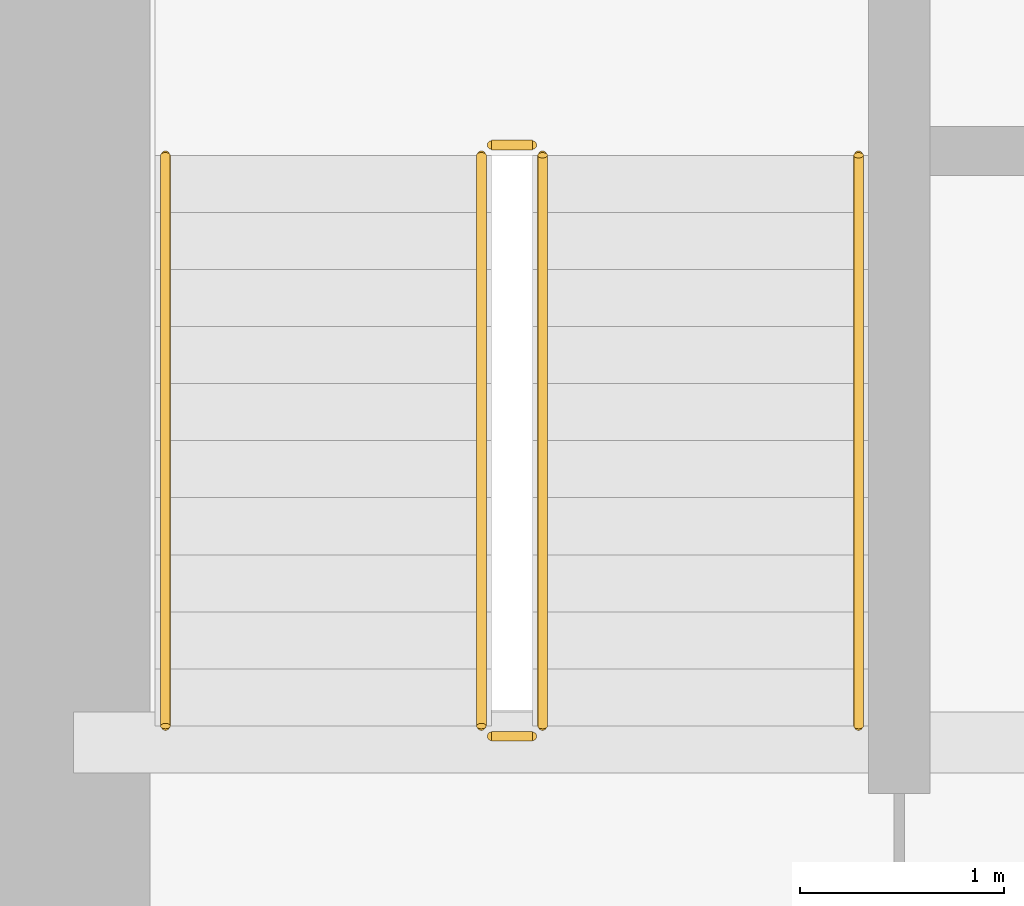
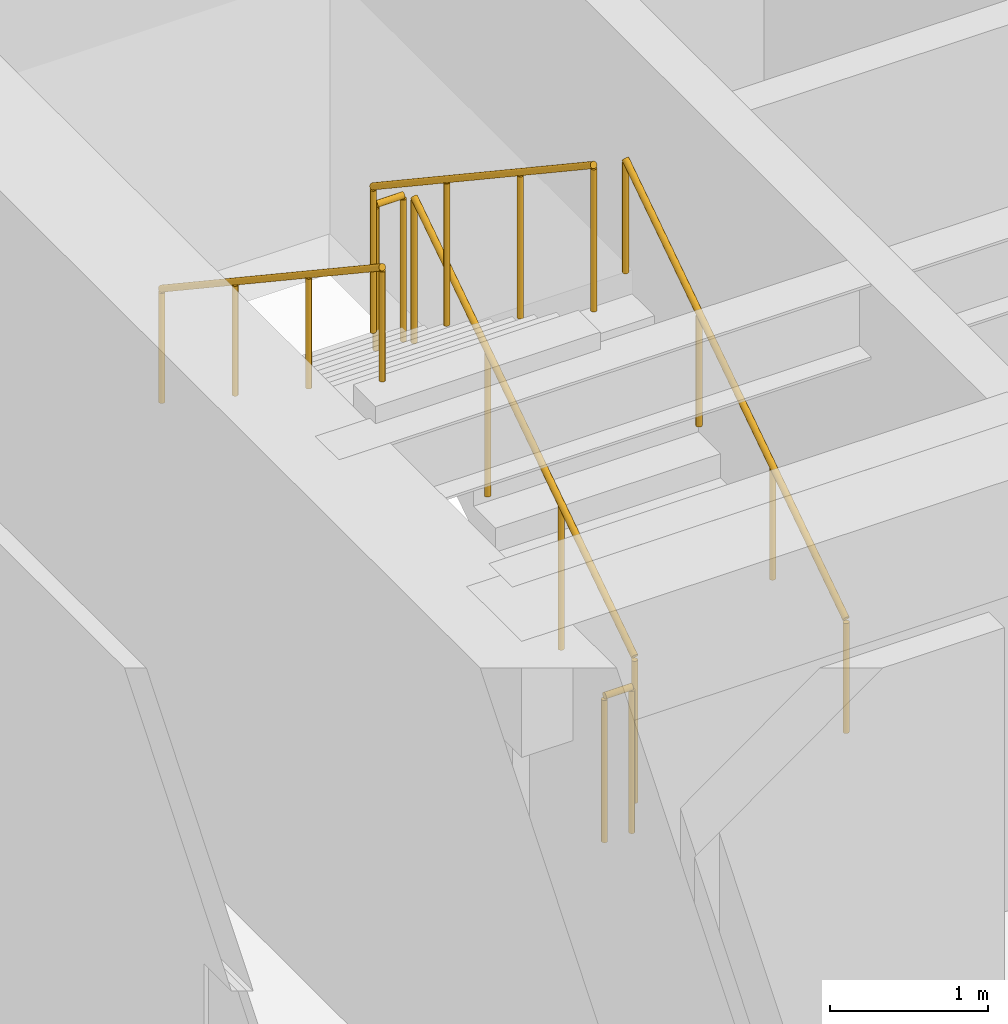
# One storey, part 34 of 35: 6 railings.
"""IFC4 building model written with IfcOpenShell, lengths in metres."""

from ifc_helpers import new_model, si_unit, direction, frame, origin, origin_2d, place, context, subcontext, project, spatial, circle, extrude, source, transform, mapped, material, type_object, type_shapes, element, save


model = new_model("IFC4")

# Units and contexts
model_context = context("Model", 3, precision=1e-05, world=origin(), true_north=direction((0.0, 1.0)))
body_context = subcontext(model_context, "Body", "Model", "MODEL_VIEW")
ifc_project = project(units=[si_unit("LENGTHUNIT", "METRE"), si_unit("AREAUNIT", "SQUARE_METRE"), si_unit("VOLUMEUNIT", "CUBIC_METRE"), si_unit("PLANEANGLEUNIT", "RADIAN"), si_unit("MASSUNIT", "GRAM", prefix="KILO")], contexts=[model_context])

# Site, building, storey
site_placement = place(None, origin())
site = spatial("IfcSite", under=ifc_project, at=site_placement, CompositionType="ELEMENT")
building_placement = place(site_placement, origin())
building = spatial("IfcBuilding", under=site, at=building_placement, Name="Haelvirn Gate Laboratories", CompositionType="ELEMENT")
storey_placement = place(building_placement, frame((0.0, 0.0, 37.5)))
storey = spatial("IfcBuildingStorey", under=building, at=storey_placement, Name="L09", CompositionType="ELEMENT", Elevation=37.5)

# Railings
ifc_material_1 = material(Name="Galvanised steel SM355 & stainless top rail", Category="steel")
railing_type_1 = type_object("IfcRailingType", Name="RL-GUARD-1150", PredefinedType="GUARDRAIL", material=ifc_material_1)
shared_shape_1 = source(origin(), body_context, "Body", "SweptSolid", [
    extrude(circle(Radius=0.02392578125, at=origin_2d()), frame((0.0, 0.0, 1.1259765625), z_axis=(-1.0, 0.0, 0.0), x_axis=(0.0, -1.0, 0.0)), (0.0, 0.0, 1.0), 0.199951171875),
    extrude(circle(Radius=0.02099609375, at=origin_2d()), origin(), (0.0, 0.0, 1.0), 1.101806640625),
    extrude(circle(Radius=0.02099609375, at=origin_2d()), frame((-0.199951171875, 0.0, 0.0)), (0.0, 0.0, 1.0), 1.101806640625),
])
for number, where, name in (
    (1, (9.64990234375, 29.550048828125, 2.050048828125), "L09 ST1 stair guard 2"),
    (2, (9.64990234375, 26.64990234375, 0.0), "L09 ST1 stair guard 4"),
):
    element("IfcRailing", number, at=place(storey_placement, frame(where)), inside=storey, type_object=railing_type_1, Name=name, PredefinedType="GUARDRAIL", context=body_context, shape_type="MappedRepresentation", body=[
        mapped(shared_shape_1, transform((0.0, 0.0, 0.0), scale=1.0)),
    ])
shared_shape_2 = source(origin(), body_context, "Body", "SweptSolid", [
    extrude(circle(Radius=0.02392578125, at=origin_2d()), frame((0.0, 0.0, 1.1259765625), z_axis=(0.0, -0.832452072856, 0.554097055034), x_axis=(1.0, 0.0, 0.0)), (0.0, 0.0, 1.0), 3.363525390625),
    extrude(circle(Radius=0.02099609375, at=origin_2d()), origin(), (0.0, 0.0, 1.0), 1.101806640625),
    extrude(circle(Radius=0.02099609375, at=origin_2d()), frame((0.0, -0.933349609375, 0.621337890625)), (0.0, 0.0, 1.0), 1.101806640625),
    extrude(circle(Radius=0.02099609375, at=origin_2d()), frame((0.0, -1.86669921875, 1.242431640625)), (0.0, 0.0, 1.0), 1.101806640625),
    extrude(circle(Radius=0.02099609375, at=origin_2d()), frame((0.0, -2.800048828125, 1.86376953125)), (0.0, 0.0, 1.0), 1.101806640625),
])
railing_1_placement = place(storey_placement, frame((9.39990234375, 29.5, 2.236328125)))
element("IfcRailing", 3, at=railing_1_placement, inside=storey, type_object=railing_type_1, Name="L09 ST1 stair guard 3", PredefinedType="GUARDRAIL", context=body_context, shape_type="MappedRepresentation", body=[
    mapped(shared_shape_2, transform((0.0, 0.0, 0.0), scale=1.0)),
])
ifc_material_2 = material(Name="Brushed stainless steel 316L", Category="steel")
railing_type_2 = type_object("IfcRailingType", Name="RL-HAND-920", PredefinedType="HANDRAIL", material=ifc_material_2)
shared_shape_3 = source(origin(), body_context, "Body", "SweptSolid", [
    extrude(circle(Radius=0.02392578125, at=origin_2d()), frame((0.0, 0.0, 0.8759765625), z_axis=(0.0, -0.832452072856, 0.554097055034), x_axis=(1.0, 0.0, 0.0)), (0.0, 0.0, 1.0), 3.363525390625),
    extrude(circle(Radius=0.02099609375, at=origin_2d()), origin(), (0.0, 0.0, 1.0), 0.851806640625),
    extrude(circle(Radius=0.02099609375, at=origin_2d()), frame((0.0, -0.933349609375, 0.621337890625)), (0.0, 0.0, 1.0), 0.851806640625),
    extrude(circle(Radius=0.02099609375, at=origin_2d()), frame((0.0, -1.86669921875, 1.242431640625)), (0.0, 0.0, 1.0), 0.851806640625),
    extrude(circle(Radius=0.02099609375, at=origin_2d()), frame((0.0, -2.800048828125, 1.86376953125)), (0.0, 0.0, 1.0), 0.851806640625),
])
railing_2_placement = place(storey_placement, frame((7.85009765625, 29.5, 2.236328125)))
element("IfcRailing", 4, at=railing_2_placement, inside=storey, type_object=railing_type_2, Name="L09 ST1 stair handrail 2", PredefinedType="HANDRAIL", context=body_context, shape_type="MappedRepresentation", body=[
    mapped(shared_shape_3, transform((0.0, 0.0, 0.0), scale=1.0)),
])
shared_shape_4 = source(origin(), body_context, "Body", "SweptSolid", [
    extrude(circle(Radius=0.02392578125, at=origin_2d()), frame((0.0, 0.0, 1.1259765625), z_axis=(0.0, 0.832452072856, 0.554097055034), x_axis=(-1.0, 0.0, 0.0)), (0.0, 0.0, 1.0), 3.363525390625),
    extrude(circle(Radius=0.02099609375, at=origin_2d()), origin(), (0.0, 0.0, 1.0), 1.101806640625),
    extrude(circle(Radius=0.02099609375, at=origin_2d()), frame((0.0, 0.933349609375, 0.621337890625)), (0.0, 0.0, 1.0), 1.101806640625),
    extrude(circle(Radius=0.02099609375, at=origin_2d()), frame((0.0, 1.86669921875, 1.242431640625)), (0.0, 0.0, 1.0), 1.101806640625),
    extrude(circle(Radius=0.02099609375, at=origin_2d()), frame((0.0, 2.800048828125, 1.86376953125)), (0.0, 0.0, 1.0), 1.101806640625),
])
type_shapes(railing_type_1, [shared_shape_1, shared_shape_2, shared_shape_4])
railing_3_placement = place(storey_placement, frame((9.699951171875, 26.699951171875, 0.186279296875)))
element("IfcRailing", 5, at=railing_3_placement, inside=storey, type_object=railing_type_1, Name="L09 ST1 stair guard 1", PredefinedType="GUARDRAIL", context=body_context, shape_type="MappedRepresentation", body=[
    mapped(shared_shape_4, transform((0.0, 0.0, 0.0), scale=1.0)),
])
shared_shape_5 = source(origin(), body_context, "Body", "SweptSolid", [
    extrude(circle(Radius=0.02392578125, at=origin_2d()), frame((0.0, 0.0, 0.8759765625), z_axis=(0.0, 0.832452072856, 0.554097055034), x_axis=(-1.0, 0.0, 0.0)), (0.0, 0.0, 1.0), 3.363525390625),
    extrude(circle(Radius=0.02099609375, at=origin_2d()), origin(), (0.0, 0.0, 1.0), 0.851806640625),
    extrude(circle(Radius=0.02099609375, at=origin_2d()), frame((0.0, 0.933349609375, 0.621337890625)), (0.0, 0.0, 1.0), 0.851806640625),
    extrude(circle(Radius=0.02099609375, at=origin_2d()), frame((0.0, 1.86669921875, 1.242431640625)), (0.0, 0.0, 1.0), 0.851806640625),
    extrude(circle(Radius=0.02099609375, at=origin_2d()), frame((0.0, 2.800048828125, 1.86376953125)), (0.0, 0.0, 1.0), 0.851806640625),
])
type_shapes(railing_type_2, [shared_shape_3, shared_shape_5])
railing_4_placement = place(storey_placement, frame((11.25, 26.699951171875, 0.186279296875)))
element("IfcRailing", 6, at=railing_4_placement, inside=storey, type_object=railing_type_2, Name="L09 ST1 stair handrail 1", PredefinedType="HANDRAIL", context=body_context, shape_type="MappedRepresentation", body=[
    mapped(shared_shape_5, transform((0.0, 0.0, 0.0), scale=1.0)),
])

save(model, "model.ifc")
